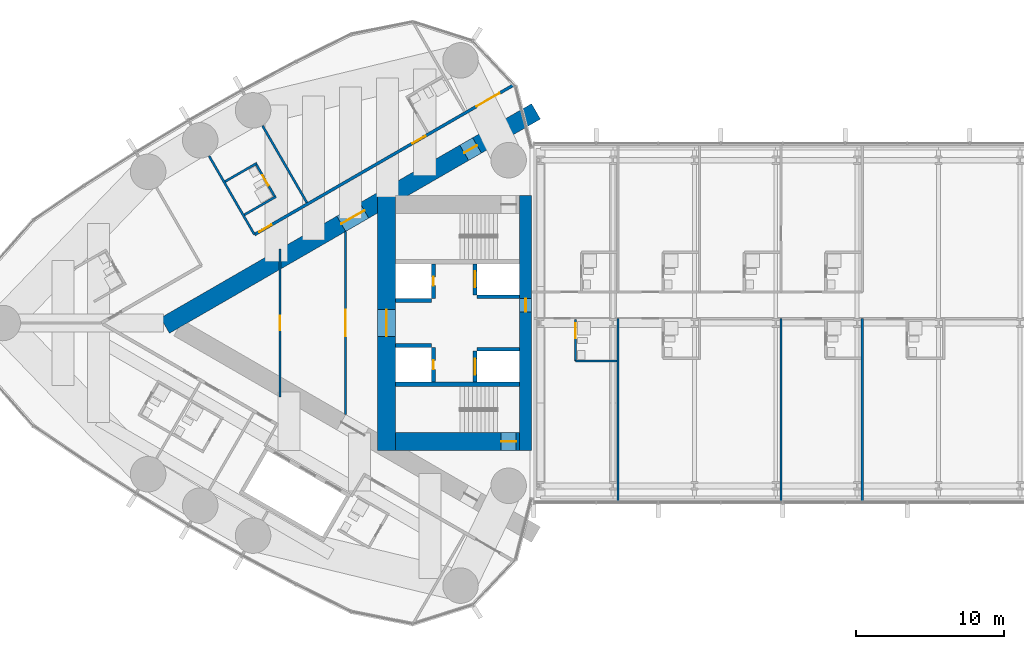
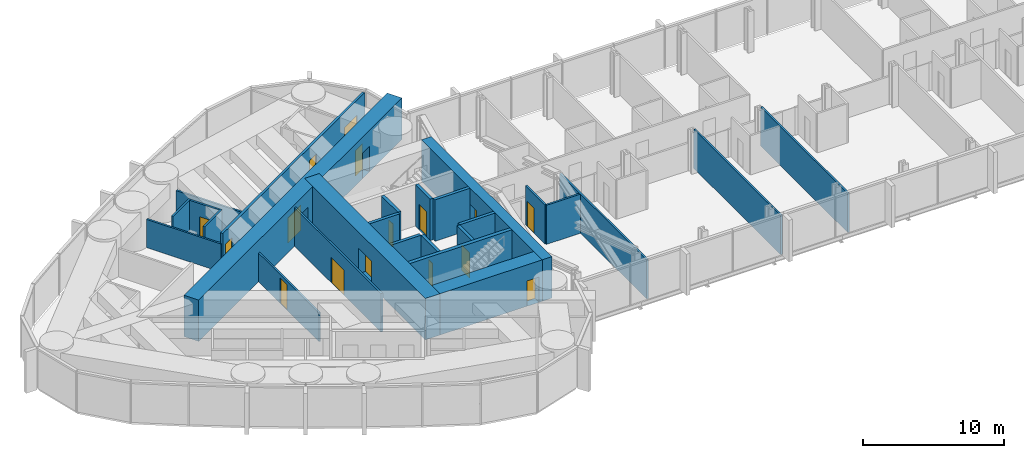
# One storey, part 15 of 22: 26 walls, 16 doors, 16 openings.
"""IFC4 building model written with IfcOpenShell, lengths in metres."""

from ifc_helpers import new_model, si_unit, direction, frame, frame_2d, origin, place, context, subcontext, project, spatial, rectangle, extrude, material, layer, layer_set, type_object, element, fill, save


model = new_model("IFC4")

# Units and contexts
model_context = context("Model", 3, precision=1e-05, world=origin(), true_north=direction((0.0, 1.0)))
body_context = subcontext(model_context, "Body", "Model", "MODEL_VIEW")
ifc_project = project(units=[si_unit("LENGTHUNIT", "METRE"), si_unit("AREAUNIT", "SQUARE_METRE"), si_unit("VOLUMEUNIT", "CUBIC_METRE"), si_unit("PLANEANGLEUNIT", "RADIAN"), si_unit("MASSUNIT", "GRAM", prefix="KILO")], contexts=[model_context])

# Site, building, storey
site_placement = place(None, origin())
site = spatial("IfcSite", under=ifc_project, at=site_placement, CompositionType="ELEMENT")
building_placement = place(site_placement, origin())
building = spatial("IfcBuilding", under=site, at=building_placement, Name="Lancet Gate Hotel", CompositionType="ELEMENT")
storey_placement = place(building_placement, frame((0.0, 0.0, 226.10009765625)))
storey = spatial("IfcBuildingStorey", under=building, at=storey_placement, Name="L60", CompositionType="ELEMENT", Elevation=226.10009765625)

# Wall
ifc_material_1 = material(Name="Moisture resistant board partition")
ifc_layer_1 = layer(ifc_material_1, 0.14990234375)
ifc_layer_set_1 = layer_set([ifc_layer_1], Name="Bathroom wall 150")
wall_type_1 = type_object("IfcWallType", Name="Bathroom wall 150", PredefinedType="PARTITIONING", material=ifc_layer_set_1)
wall_1_placement = place(storey_placement, frame((-46.065185546875, 10.798095703125, 0.0), z_axis=(0.0, 0.0, 1.0), x_axis=(-0.866031185235, -0.4999899861, 0.0)))
element("IfcWall", 1, at=wall_1_placement, inside=storey, type_object=wall_type_1, Name="T1 bathroom wall 150 L60", PredefinedType="PARTITIONING", context=body_context, shape_type="SweptSolid", body=[
    extrude(rectangle(XDim=2.47509765625, YDim=0.14990234375, at=frame_2d((1.237548828125, 0.0))), origin(), (0.0, 0.0, 1.0), 3.349853515625),
])

# Wall, opening, door
wall_2_placement = place(storey_placement, frame((-44.830322265625, 8.509033203125, 0.0), z_axis=(0.0, 0.0, 1.0), x_axis=(-0.499936506574, 0.866062058628, 0.0)))
wall_2 = element("IfcWall", 2, at=wall_2_placement, inside=storey, type_object=wall_type_1, Name="T1 bathroom wall 150 L60", PredefinedType="PARTITIONING", context=body_context, shape_type="SweptSolid", body=[
    extrude(rectangle(XDim=2.599853515625, YDim=0.14990234375, at=frame_2d((1.2998046875, 0.0))), origin(), (0.0, 0.0, 1.0), 3.349853515625),
])
opening_1_placement = place(wall_2_placement, frame((0.89990234375, 0.0, 0.0)))
opening_1 = element("IfcOpeningElement", 3, at=opening_1_placement, cuts=wall_2, Name="Opening 6003-B", PredefinedType="OPENING", context=body_context, shape_type="SweptSolid", body=[
    extrude(rectangle(XDim=0.800048828125, YDim=2.199951171875, at=frame_2d((0.39990234375, 1.10009765625))), frame((0.0, 0.0849609375, 0.0), z_axis=(0.0, -1.0, 0.0), x_axis=(1.0, 0.0, 0.0)), (0.0, 0.0, 1.0), 0.169921875),
])
ifc_material_2 = material(Name="Timber door set", Category="wood")
door_type_1 = type_object("IfcDoorType", Name="Bathroom door 800", OperationType="SINGLE_SWING_RIGHT", PredefinedType="DOOR", material=ifc_material_2)
door_1_placement = place(opening_1_placement, origin())
door_1 = element("IfcDoor", 4, at=door_1_placement, inside=storey, type_object=door_type_1, Name="6003-B", OperationType="SINGLE_SWING_RIGHT", OverallHeight=2.199951171875, OverallWidth=0.800048828125, PredefinedType="DOOR", context=body_context, shape_type="SweptSolid", body=[
    extrude(rectangle(XDim=0.800048828125, YDim=2.199951171875, at=frame_2d((0.39990234375, 1.10009765625))), frame((0.0, 0.02490234375, 0.0), z_axis=(0.0, -1.0, 0.0), x_axis=(1.0, 0.0, 0.0)), (0.0, 0.0, 1.0), 0.050048828125),
])
fill(opening_1, door_1)

# Walls
wall_3_placement = place(storey_placement, frame((-44.765380859375, 8.54638671875, 0.0), z_axis=(0.0, 0.0, 1.0), x_axis=(-0.86604923931, -0.499958713387, 0.0)))
element("IfcWall", 5, at=wall_3_placement, inside=storey, type_object=wall_type_1, Name="T1 bathroom wall 150 L60", PredefinedType="PARTITIONING", context=body_context, shape_type="SweptSolid", body=[
    extrude(rectangle(XDim=2.474853515625, YDim=0.14990234375, at=frame_2d((1.2373046875, 0.0))), origin(), (0.0, 0.0, 1.0), 3.349853515625),
])
wall_4_placement = place(storey_placement, frame((-24.52490234375, -2.574951171875, 0.0), z_axis=(0.0, 0.0, 1.0), x_axis=(1.0, 0.0, 0.0)))
element("IfcWall", 6, at=wall_4_placement, inside=storey, type_object=wall_type_1, Name="Bridge block bathroom wall 150 L60", PredefinedType="PARTITIONING", context=body_context, shape_type="SweptSolid", body=[
    extrude(rectangle(XDim=2.7998046875, YDim=0.14990234375, at=frame_2d((1.39990234375, 0.0))), origin(), (0.0, 0.0, 1.0), 3.39990234375),
])

# Wall, opening, door
wall_5_placement = place(storey_placement, frame((-24.52490234375, -2.574951171875, 0.0), z_axis=(0.0, 0.0, 1.0), x_axis=(0.0, 1.0, 0.0)))
wall_5 = element("IfcWall", 7, at=wall_5_placement, inside=storey, type_object=wall_type_1, Name="Bridge block bathroom wall 150 L60", PredefinedType="PARTITIONING", context=body_context, shape_type="SweptSolid", body=[
    extrude(rectangle(XDim=2.800048828125, YDim=0.14990234375, at=frame_2d((1.39990234375, 0.0))), origin(), (0.0, 0.0, 1.0), 3.39990234375),
])
opening_2_placement = place(wall_5_placement, frame((1.550048828125, 0.0, 0.0)))
opening_2 = element("IfcOpeningElement", 8, at=opening_2_placement, cuts=wall_5, Name="Opening B6001-B", PredefinedType="OPENING", context=body_context, shape_type="SweptSolid", body=[
    extrude(rectangle(XDim=1.0, YDim=2.199951171875, at=frame_2d((0.5, 1.10009765625))), frame((0.0, 0.0849609375, 0.0), z_axis=(0.0, -1.0, 0.0), x_axis=(1.0, 0.0, 0.0)), (0.0, 0.0, 1.0), 0.169921875),
])
ifc_material_3 = material(Name="Timber door set", Category="wood")
door_type_2 = type_object("IfcDoorType", Name="Accessible en-suite door 1000", OperationType="SINGLE_SWING_RIGHT", PredefinedType="DOOR", material=ifc_material_3)
door_2_placement = place(opening_2_placement, origin())
door_2 = element("IfcDoor", 9, at=door_2_placement, inside=storey, type_object=door_type_2, Name="B6001-B", OperationType="SINGLE_SWING_RIGHT", OverallHeight=2.199951171875, OverallWidth=1.0, PredefinedType="DOOR", context=body_context, shape_type="SweptSolid", body=[
    extrude(rectangle(XDim=1.0, YDim=2.199951171875, at=frame_2d((0.5, 1.10009765625))), frame((0.0, 0.02490234375, 0.0), z_axis=(0.0, -1.0, 0.0), x_axis=(1.0, 0.0, 0.0)), (0.0, 0.0, 1.0), 0.050048828125),
])
fill(opening_2, door_2)

# Wall, openings, doors
ifc_material_4 = material(Name="Concrete C70/85", Category="concrete")
ifc_layer_2 = layer(ifc_material_4, 1.199951171875)
ifc_layer_set_2 = layer_set([ifc_layer_2], Name="Buttress wall 1200")
wall_type_2 = type_object("IfcWallType", Name="Buttress wall 1200", PredefinedType="SHEAR", material=ifc_layer_set_2)
wall_6_placement = place(storey_placement, frame((-27.199951171875, 14.300048828125, 0.0), z_axis=(0.0, 0.0, 1.0), x_axis=(-0.866026593062, -0.499997940104, 0.0)))
wall_6 = element("IfcWall", 10, at=wall_6_placement, inside=storey, type_object=wall_type_2, Name="T1 buttress wall S L60", PredefinedType="SHEAR", context=body_context, shape_type="SweptSolid", body=[
    extrude(rectangle(XDim=28.9462890625, YDim=1.199951171875, at=frame_2d((14.47314453125, 0.0))), origin(), (0.0, 0.0, 1.0), 3.599853515625),
])
opening_3_placement = place(wall_6_placement, frame((4.60009765625, 0.0, 0.0)))
opening_3 = element("IfcOpeningElement", 11, at=opening_3_placement, cuts=wall_6, Name="Opening T1-L60-LS", PredefinedType="OPENING", context=body_context, shape_type="SweptSolid", body=[
    extrude(rectangle(XDim=1.0, YDim=2.199951171875, at=frame_2d((0.5, 1.10009765625))), frame((0.0, 0.60986328125, 0.0), z_axis=(0.0, -1.0, 0.0), x_axis=(1.0, 0.0, 0.0)), (0.0, 0.0, 1.0), 1.219970703125),
])
opening_4_placement = place(wall_6_placement, frame((13.39453125, 0.0, 0.0)))
opening_4 = element("IfcOpeningElement", 12, at=opening_4_placement, cuts=wall_6, Name="Opening T1-L60-LHS", PredefinedType="OPENING", context=body_context, shape_type="SweptSolid", body=[
    extrude(rectangle(XDim=1.800048828125, YDim=2.199951171875, at=frame_2d((0.89990234375, 1.10009765625))), frame((0.0, 0.60986328125, 0.0), z_axis=(0.0, -1.0, 0.0), x_axis=(1.0, 0.0, 0.0)), (0.0, 0.0, 1.0), 1.219970703125),
])
ifc_material_5 = material(Name="Timber door set", Category="wood")
door_type_3 = type_object("IfcDoorType", Name="Lobby double door 1800", OperationType="DOUBLE_DOOR_SINGLE_SWING", PredefinedType="DOOR", material=ifc_material_5)
door_3_placement = place(opening_4_placement, origin())
door_3 = element("IfcDoor", 13, at=door_3_placement, inside=storey, type_object=door_type_3, Name="T1-L60-LHS", OperationType="DOUBLE_DOOR_SINGLE_SWING", OverallHeight=2.199951171875, OverallWidth=1.800048828125, PredefinedType="DOOR", context=body_context, shape_type="SweptSolid", body=[
    extrude(rectangle(XDim=1.800048828125, YDim=2.199951171875, at=frame_2d((0.89990234375, 1.10009765625))), frame((0.0, 0.02490234375, 0.0), z_axis=(0.0, -1.0, 0.0), x_axis=(1.0, 0.0, 0.0)), (0.0, 0.0, 1.0), 0.050048828125),
])
fill(opening_4, door_3)
ifc_material_6 = material(Name="Timber door set", Category="wood")
door_type_4 = type_object("IfcDoorType", Name="Stair lobby door 1000", OperationType="SINGLE_SWING_LEFT", PredefinedType="DOOR", material=ifc_material_6)
door_4_placement = place(opening_3_placement, origin())
door_4 = element("IfcDoor", 14, at=door_4_placement, inside=storey, type_object=door_type_4, Name="T1-L60-LS", OperationType="SINGLE_SWING_LEFT", OverallHeight=2.199951171875, OverallWidth=1.0, PredefinedType="DOOR", context=body_context, shape_type="SweptSolid", body=[
    extrude(rectangle(XDim=1.0, YDim=2.199951171875, at=frame_2d((0.5, 1.10009765625))), frame((0.0, 0.02490234375, 0.0), z_axis=(0.0, -1.0, 0.0), x_axis=(1.0, 0.0, 0.0)), (0.0, 0.0, 1.0), 0.050048828125),
])
fill(opening_3, door_4)

# Wall, opening, door
ifc_material_7 = material(Name="Concrete C70/85", Category="concrete")
ifc_layer_3 = layer(ifc_material_7, 1.199951171875)
ifc_layer_set_3 = layer_set([ifc_layer_3], Name="Core wall 1200")
wall_type_3 = type_object("IfcWallType", Name="Core wall 1200", PredefinedType="SHEAR", material=ifc_layer_set_3)
wall_7_placement = place(storey_placement, frame((-37.300048828125, 8.60009765625, 0.0), z_axis=(0.0, 0.0, 1.0), x_axis=(0.0, -1.0, 0.0)))
wall_7 = element("IfcWall", 15, at=wall_7_placement, inside=storey, type_object=wall_type_3, Name="T1 core wall back L60", PredefinedType="SHEAR", context=body_context, shape_type="SweptSolid", body=[
    extrude(rectangle(XDim=17.2001953125, YDim=1.199951171875, at=frame_2d((8.60009765625, 0.0))), origin(), (0.0, 0.0, 1.0), 3.599853515625),
])
opening_5_placement = place(wall_7_placement, frame((7.699951171875, 0.0, 0.0)))
opening_5 = element("IfcOpeningElement", 16, at=opening_5_placement, cuts=wall_7, Name="Opening T1-L60-LL", PredefinedType="OPENING", context=body_context, shape_type="SweptSolid", body=[
    extrude(rectangle(XDim=1.800048828125, YDim=2.199951171875, at=frame_2d((0.89990234375, 1.10009765625))), frame((0.0, 0.60986328125, 0.0), z_axis=(0.0, -1.0, 0.0), x_axis=(1.0, 0.0, 0.0)), (0.0, 0.0, 1.0), 1.219970703125),
])
door_5_placement = place(opening_5_placement, origin())
door_5 = element("IfcDoor", 17, at=door_5_placement, inside=storey, type_object=door_type_3, Name="T1-L60-LL", OperationType="DOUBLE_DOOR_SINGLE_SWING", OverallHeight=2.199951171875, OverallWidth=1.800048828125, PredefinedType="DOOR", context=body_context, shape_type="SweptSolid", body=[
    extrude(rectangle(XDim=1.800048828125, YDim=2.199951171875, at=frame_2d((0.89990234375, 1.10009765625))), frame((0.0, 0.02490234375, 0.0), z_axis=(0.0, -1.0, 0.0), x_axis=(1.0, 0.0, 0.0)), (0.0, 0.0, 1.0), 0.050048828125),
])
fill(opening_5, door_5)

wall_8_placement = place(storey_placement, frame((-28.300048828125, -8.0, 0.0), z_axis=(0.0, 0.0, 1.0), x_axis=(-1.0, 0.0, 0.0)))
wall_8 = element("IfcWall", 18, at=wall_8_placement, inside=storey, type_object=wall_type_3, Name="T1 core wall side-N L60", PredefinedType="SHEAR", context=body_context, shape_type="SweptSolid", body=[
    extrude(rectangle(XDim=8.39990234375, YDim=1.199951171875, at=frame_2d((4.199951171875, 0.0))), origin(), (0.0, 0.0, 1.0), 3.599853515625),
])
opening_6_placement = place(wall_8_placement, frame((0.25, 0.0, 0.0)))
opening_6 = element("IfcOpeningElement", 19, at=opening_6_placement, cuts=wall_8, Name="Opening T1-L60-ST2", PredefinedType="OPENING", context=body_context, shape_type="SweptSolid", body=[
    extrude(rectangle(XDim=1.0, YDim=2.199951171875, at=frame_2d((0.5, 1.10009765625))), frame((0.0, 0.60986328125, 0.0), z_axis=(0.0, -1.0, 0.0), x_axis=(1.0, 0.0, 0.0)), (0.0, 0.0, 1.0), 1.219970703125),
])
ifc_material_8 = material(Name="Timber door set", Category="wood")
door_type_5 = type_object("IfcDoorType", Name="Stair door 1000", OperationType="SINGLE_SWING_RIGHT", PredefinedType="DOOR", material=ifc_material_8)
door_6_placement = place(opening_6_placement, origin())
door_6 = element("IfcDoor", 20, at=door_6_placement, inside=storey, type_object=door_type_5, Name="T1-L60-ST2", OperationType="SINGLE_SWING_RIGHT", OverallHeight=2.199951171875, OverallWidth=1.0, PredefinedType="DOOR", context=body_context, shape_type="SweptSolid", body=[
    extrude(rectangle(XDim=1.0, YDim=2.199951171875, at=frame_2d((0.5, 1.10009765625))), frame((0.0, 0.02490234375, 0.0), z_axis=(0.0, -1.0, 0.0), x_axis=(1.0, 0.0, 0.0)), (0.0, 0.0, 1.0), 0.050048828125),
])
fill(opening_6, door_6)

ifc_material_9 = material(Name="Concrete C70/85", Category="concrete")
ifc_layer_4 = layer(ifc_material_9, 0.800048828125)
ifc_layer_set_4 = layer_set([ifc_layer_4], Name="Core wall 800")
wall_type_4 = type_object("IfcWallType", Name="Core wall 800", PredefinedType="SHEAR", material=ifc_layer_set_4)
wall_9_placement = place(storey_placement, frame((-27.89990234375, 8.60009765625, 0.0), z_axis=(0.0, 0.0, 1.0), x_axis=(0.0, -1.0, 0.0)))
wall_9 = element("IfcWall", 21, at=wall_9_placement, inside=storey, type_object=wall_type_4, Name="T1 core wall front L60", PredefinedType="SHEAR", context=body_context, shape_type="SweptSolid", body=[
    extrude(rectangle(XDim=17.2001953125, YDim=0.800048828125, at=frame_2d((8.60009765625, 0.0))), origin(), (0.0, 0.0, 1.0), 3.599853515625),
])
opening_7_placement = place(wall_9_placement, frame((6.949951171875, 0.0, 0.0)))
opening_7 = element("IfcOpeningElement", 22, at=opening_7_placement, cuts=wall_9, Name="Opening T1-L60-BR", PredefinedType="OPENING", context=body_context, shape_type="SweptSolid", body=[
    extrude(rectangle(XDim=0.89990234375, YDim=2.199951171875, at=frame_2d((0.449951171875, 1.10009765625))), frame((0.0, 0.409912109375, 0.0), z_axis=(0.0, -1.0, 0.0), x_axis=(1.0, 0.0, 0.0)), (0.0, 0.0, 1.0), 0.820068359375),
])
ifc_material_10 = material(Name="Steel door set", Category="steel")
door_type_6 = type_object("IfcDoorType", Name="Bridge fire door 900", OperationType="SINGLE_SWING_LEFT", PredefinedType="DOOR", material=ifc_material_10)
door_7_placement = place(opening_7_placement, origin())
door_7 = element("IfcDoor", 23, at=door_7_placement, inside=storey, type_object=door_type_6, Name="T1-L60-BR", OperationType="SINGLE_SWING_LEFT", OverallHeight=2.199951171875, OverallWidth=0.89990234375, PredefinedType="DOOR", context=body_context, shape_type="SweptSolid", body=[
    extrude(rectangle(XDim=0.89990234375, YDim=2.199951171875, at=frame_2d((0.449951171875, 1.10009765625))), frame((0.0, 0.02490234375, 0.0), z_axis=(0.0, -1.0, 0.0), x_axis=(1.0, 0.0, 0.0)), (0.0, 0.0, 1.0), 0.050048828125),
])
fill(opening_7, door_7)

# Wall, openings, doors
ifc_material_11 = material(Name="Gypsum board partition")
ifc_layer_5 = layer(ifc_material_11, 0.199951171875)
ifc_layer_set_5 = layer_set([ifc_layer_5], Name="Corridor wall 200")
wall_type_5 = type_object("IfcWallType", Name="Corridor wall 200", PredefinedType="PARTITIONING", material=ifc_layer_set_5)
wall_10_placement = place(storey_placement, frame((-28.737060546875, 16.068359375, 0.0), z_axis=(0.0, 0.0, 1.0), x_axis=(-0.866023901326, -0.500002602325, 0.0)))
wall_10 = element("IfcWall", 24, at=wall_10_placement, inside=storey, type_object=wall_type_5, Name="T1 corridor wall 200 L60", PredefinedType="PARTITIONING", context=body_context, shape_type="SweptSolid", body=[
    extrude(rectangle(XDim=20.19189453125, YDim=0.199951171875, at=frame_2d((10.095947265625, 0.0))), origin(), (0.0, 0.0, 1.0), 3.349853515625),
])
opening_8_placement = place(wall_10_placement, frame((1.080078125, 0.0, 0.0)))
opening_8 = element("IfcOpeningElement", 25, at=opening_8_placement, cuts=wall_10, Name="Opening 6001-E", PredefinedType="OPENING", context=body_context, shape_type="SweptSolid", body=[
    extrude(rectangle(XDim=1.800048828125, YDim=2.0400390625, at=frame_2d((0.89990234375, 1.02001953125))), frame((0.0, 0.10986328125, 0.0), z_axis=(0.0, -1.0, 0.0), x_axis=(1.0, 0.0, 0.0)), (0.0, 0.0, 1.0), 0.219970703125),
])
opening_9_placement = place(wall_10_placement, frame((6.860107421875, 0.0, 0.0)))
opening_9 = element("IfcOpeningElement", 26, at=opening_9_placement, cuts=wall_10, Name="Opening 6002-E", PredefinedType="OPENING", context=body_context, shape_type="SweptSolid", body=[
    extrude(rectangle(XDim=1.0, YDim=2.199951171875, at=frame_2d((0.5, 1.10009765625))), frame((0.0, 0.10986328125, 0.0), z_axis=(0.0, -1.0, 0.0), x_axis=(1.0, 0.0, 0.0)), (0.0, 0.0, 1.0), 0.219970703125),
])
opening_10_placement = place(wall_10_placement, frame((18.866943359375, 0.0, 0.0)))
opening_10 = element("IfcOpeningElement", 27, at=opening_10_placement, cuts=wall_10, Name="Opening 6003-E", PredefinedType="OPENING", context=body_context, shape_type="SweptSolid", body=[
    extrude(rectangle(XDim=0.949951171875, YDim=2.199951171875, at=frame_2d((0.47509765625, 1.10009765625))), frame((0.0, 0.10986328125, 0.0), z_axis=(0.0, -1.0, 0.0), x_axis=(1.0, 0.0, 0.0)), (0.0, 0.0, 1.0), 0.219970703125),
])
ifc_material_12 = material(Name="Timber door set", Category="wood")
door_type_7 = type_object("IfcDoorType", Name="Accessible guest room door 1000", OperationType="SINGLE_SWING_LEFT", PredefinedType="DOOR", material=ifc_material_12)
door_8_placement = place(opening_9_placement, origin())
door_8 = element("IfcDoor", 28, at=door_8_placement, inside=storey, type_object=door_type_7, Name="6002-E", OperationType="SINGLE_SWING_LEFT", OverallHeight=2.199951171875, OverallWidth=1.0, PredefinedType="DOOR", context=body_context, shape_type="SweptSolid", body=[
    extrude(rectangle(XDim=1.0, YDim=2.199951171875, at=frame_2d((0.5, 1.10009765625))), frame((0.0, 0.02490234375, 0.0), z_axis=(0.0, -1.0, 0.0), x_axis=(1.0, 0.0, 0.0)), (0.0, 0.0, 1.0), 0.050048828125),
])
fill(opening_9, door_8)
ifc_material_13 = material(Name="Timber door set", Category="wood")
door_type_8 = type_object("IfcDoorType", Name="Double door 1800, 2040 high", OperationType="DOUBLE_DOOR_SINGLE_SWING", PredefinedType="DOOR", material=ifc_material_13)
door_9_placement = place(opening_8_placement, origin())
door_9 = element("IfcDoor", 29, at=door_9_placement, inside=storey, type_object=door_type_8, Name="6001-E", OperationType="DOUBLE_DOOR_SINGLE_SWING", OverallHeight=2.0400390625, OverallWidth=1.800048828125, PredefinedType="DOOR", context=body_context, shape_type="SweptSolid", body=[
    extrude(rectangle(XDim=1.800048828125, YDim=2.0400390625, at=frame_2d((0.89990234375, 1.02001953125))), frame((0.0, 0.02490234375, 0.0), z_axis=(0.0, -1.0, 0.0), x_axis=(1.0, 0.0, 0.0)), (0.0, 0.0, 1.0), 0.050048828125),
])
fill(opening_8, door_9)
ifc_material_14 = material(Name="Timber door set", Category="wood")
door_type_9 = type_object("IfcDoorType", Name="Guest room entry door 950", OperationType="SINGLE_SWING_LEFT", PredefinedType="DOOR", material=ifc_material_14)
door_10_placement = place(opening_10_placement, origin())
door_10 = element("IfcDoor", 30, at=door_10_placement, inside=storey, type_object=door_type_9, Name="6003-E", OperationType="SINGLE_SWING_LEFT", OverallHeight=2.199951171875, OverallWidth=0.949951171875, PredefinedType="DOOR", context=body_context, shape_type="SweptSolid", body=[
    extrude(rectangle(XDim=0.949951171875, YDim=2.199951171875, at=frame_2d((0.47509765625, 1.10009765625))), frame((0.0, 0.02490234375, 0.0), z_axis=(0.0, -1.0, 0.0), x_axis=(1.0, 0.0, 0.0)), (0.0, 0.0, 1.0), 0.050048828125),
])
fill(opening_10, door_10)

# Wall, opening, door
ifc_material_15 = material(Name="Concrete C50/60", Category="concrete")
ifc_layer_6 = layer(ifc_material_15, 0.25)
ifc_layer_set_6 = layer_set([ifc_layer_6], Name="Lift shaft wall 250")
wall_type_6 = type_object("IfcWallType", Name="Lift shaft wall 250", PredefinedType="SHEAR", material=ifc_layer_set_6)
wall_11_placement = place(storey_placement, frame((-31.324951171875, 4.0, 0.0), z_axis=(0.0, 0.0, 1.0), x_axis=(0.0, -1.0, 0.0)))
wall_11 = element("IfcWall", 31, at=wall_11_placement, inside=storey, type_object=wall_type_6, Name="T1 core wall row1-S L60", PredefinedType="SHEAR", context=body_context, shape_type="SweptSolid", body=[
    extrude(rectangle(XDim=2.10009765625, YDim=0.25, at=frame_2d((1.050048828125, 0.0))), origin(), (0.0, 0.0, 1.0), 3.599853515625),
])
opening_11_placement = place(wall_11_placement, frame((0.5, 0.0, 0.0)))
opening_11 = element("IfcOpeningElement", 32, at=opening_11_placement, cuts=wall_11, Name="Opening T1-SL1-L60", PredefinedType="OPENING", context=body_context, shape_type="SweptSolid", body=[
    extrude(rectangle(XDim=1.10009765625, YDim=2.199951171875, at=frame_2d((0.550048828125, 1.10009765625))), frame((0.0, 0.135009765625, 0.0), z_axis=(0.0, -1.0, 0.0), x_axis=(1.0, 0.0, 0.0)), (0.0, 0.0, 1.0), 0.27001953125),
])
ifc_material_16 = material(Name="Timber door set", Category="wood")
door_type_10 = type_object("IfcDoorType", Name="Service lift landing door 1100", OperationType="SLIDING_TO_LEFT", PredefinedType="USERDEFINED", material=ifc_material_16)
door_11_placement = place(opening_11_placement, origin())
door_11 = element("IfcDoor", 33, at=door_11_placement, inside=storey, type_object=door_type_10, Name="T1-SL1-L60", ObjectType="LIFT LANDING DOOR", OperationType="SLIDING_TO_LEFT", OverallHeight=2.199951171875, OverallWidth=1.10009765625, PredefinedType="USERDEFINED", context=body_context, shape_type="SweptSolid", body=[
    extrude(rectangle(XDim=1.10009765625, YDim=2.199951171875, at=frame_2d((0.550048828125, 1.10009765625))), frame((0.0, 0.02490234375, 0.0), z_axis=(0.0, -1.0, 0.0), x_axis=(1.0, 0.0, 0.0)), (0.0, 0.0, 1.0), 0.050048828125),
])
fill(opening_11, door_11)

wall_12_placement = place(storey_placement, frame((-34.125, 4.0, 0.0), z_axis=(0.0, 0.0, 1.0), x_axis=(0.0, -1.0, 0.0)))
wall_12 = element("IfcWall", 34, at=wall_12_placement, inside=storey, type_object=wall_type_6, Name="T1 core wall row2-S L60", PredefinedType="SHEAR", context=body_context, shape_type="SweptSolid", body=[
    extrude(rectangle(XDim=2.35009765625, YDim=0.25, at=frame_2d((1.175048828125, 0.0))), origin(), (0.0, 0.0, 1.0), 3.599853515625),
])
opening_12_placement = place(wall_12_placement, frame((0.875, 0.0, 0.0)))
opening_12 = element("IfcOpeningElement", 35, at=opening_12_placement, cuts=wall_12, Name="Opening T1-OL3-L60-E", PredefinedType="OPENING", context=body_context, shape_type="SweptSolid", body=[
    extrude(rectangle(XDim=0.60009765625, YDim=2.0, at=frame_2d((0.300048828125, 1.0))), frame((0.0, 0.135009765625, 0.0), z_axis=(0.0, -1.0, 0.0), x_axis=(1.0, 0.0, 0.0)), (0.0, 0.0, 1.0), 0.27001953125),
])
ifc_material_17 = material(Name="Steel door set", Category="steel")
door_type_11 = type_object("IfcDoorType", Name="Lift shaft emergency door 600x2000", OperationType="SLIDING_TO_LEFT", PredefinedType="DOOR", material=ifc_material_17)
door_12_placement = place(opening_12_placement, origin())
door_12 = element("IfcDoor", 36, at=door_12_placement, inside=storey, type_object=door_type_11, Name="T1-OL3-L60-E", OperationType="SLIDING_TO_LEFT", OverallHeight=2.0, OverallWidth=0.60009765625, PredefinedType="DOOR", context=body_context, shape_type="SweptSolid", body=[
    extrude(rectangle(XDim=0.60009765625, YDim=2.0, at=frame_2d((0.300048828125, 1.0))), frame((0.0, 0.02490234375, 0.0), z_axis=(0.0, -1.0, 0.0), x_axis=(1.0, 0.0, 0.0)), (0.0, 0.0, 1.0), 0.050048828125),
])
fill(opening_12, door_12)

# Walls
wall_13_placement = place(storey_placement, frame((-28.300048828125, 1.77490234375, 0.0), z_axis=(0.0, 0.0, 1.0), x_axis=(-1.0, 0.0, 0.0)))
element("IfcWall", 37, at=wall_13_placement, inside=storey, type_object=wall_type_6, Name="T1 core wall pass1-S L60", PredefinedType="SHEAR", context=body_context, shape_type="SweptSolid", body=[
    extrude(rectangle(XDim=2.89990234375, YDim=0.25, at=frame_2d((1.449951171875, 0.0))), origin(), (0.0, 0.0, 1.0), 3.599853515625),
])
wall_14_placement = place(storey_placement, frame((-34.25, 1.52490234375, 0.0), z_axis=(0.0, 0.0, 1.0), x_axis=(-1.0, 0.0, 0.0)))
element("IfcWall", 38, at=wall_14_placement, inside=storey, type_object=wall_type_6, Name="T1 core wall pass2-S L60", PredefinedType="SHEAR", context=body_context, shape_type="SweptSolid", body=[
    extrude(rectangle(XDim=2.449951171875, YDim=0.25, at=frame_2d((1.22509765625, 0.0))), origin(), (0.0, 0.0, 1.0), 3.599853515625),
])

# Wall, opening, door
wall_15_placement = place(storey_placement, frame((-31.324951171875, -1.89990234375, 0.0), z_axis=(0.0, 0.0, 1.0), x_axis=(0.0, -1.0, 0.0)))
wall_15 = element("IfcWall", 39, at=wall_15_placement, inside=storey, type_object=wall_type_6, Name="T1 core wall row1-N L60", PredefinedType="SHEAR", context=body_context, shape_type="SweptSolid", body=[
    extrude(rectangle(XDim=2.10009765625, YDim=0.25, at=frame_2d((1.050048828125, 0.0))), origin(), (0.0, 0.0, 1.0), 3.599853515625),
])
opening_13_placement = place(wall_15_placement, frame((0.5, 0.0, 0.0)))
opening_13 = element("IfcOpeningElement", 40, at=opening_13_placement, cuts=wall_15, Name="Opening T1-FL2-L60", PredefinedType="OPENING", context=body_context, shape_type="SweptSolid", body=[
    extrude(rectangle(XDim=1.10009765625, YDim=2.199951171875, at=frame_2d((0.550048828125, 1.10009765625))), frame((0.0, 0.135009765625, 0.0), z_axis=(0.0, -1.0, 0.0), x_axis=(1.0, 0.0, 0.0)), (0.0, 0.0, 1.0), 0.27001953125),
])
ifc_material_18 = material(Name="Steel door set", Category="steel")
door_type_12 = type_object("IfcDoorType", Name="Firefighting lift landing door 1100", OperationType="SLIDING_TO_LEFT", PredefinedType="USERDEFINED", material=ifc_material_18)
door_13_placement = place(opening_13_placement, origin())
door_13 = element("IfcDoor", 41, at=door_13_placement, inside=storey, type_object=door_type_12, Name="T1-FL2-L60", ObjectType="LIFT LANDING DOOR", OperationType="SLIDING_TO_LEFT", OverallHeight=2.199951171875, OverallWidth=1.10009765625, PredefinedType="USERDEFINED", context=body_context, shape_type="SweptSolid", body=[
    extrude(rectangle(XDim=1.10009765625, YDim=2.199951171875, at=frame_2d((0.550048828125, 1.10009765625))), frame((0.0, 0.02490234375, 0.0), z_axis=(0.0, -1.0, 0.0), x_axis=(1.0, 0.0, 0.0)), (0.0, 0.0, 1.0), 0.050048828125),
])
fill(opening_13, door_13)

wall_16_placement = place(storey_placement, frame((-34.125, -1.64990234375, 0.0), z_axis=(0.0, 0.0, 1.0), x_axis=(0.0, -1.0, 0.0)))
wall_16 = element("IfcWall", 42, at=wall_16_placement, inside=storey, type_object=wall_type_6, Name="T1 core wall row2-N L60", PredefinedType="SHEAR", context=body_context, shape_type="SweptSolid", body=[
    extrude(rectangle(XDim=2.35009765625, YDim=0.25, at=frame_2d((1.175048828125, 0.0))), origin(), (0.0, 0.0, 1.0), 3.599853515625),
])
opening_14_placement = place(wall_16_placement, frame((0.875, 0.0, 0.0)))
opening_14 = element("IfcOpeningElement", 43, at=opening_14_placement, cuts=wall_16, Name="Opening T1-OL4-L60-E", PredefinedType="OPENING", context=body_context, shape_type="SweptSolid", body=[
    extrude(rectangle(XDim=0.60009765625, YDim=2.0, at=frame_2d((0.300048828125, 1.0))), frame((0.0, 0.135009765625, 0.0), z_axis=(0.0, -1.0, 0.0), x_axis=(1.0, 0.0, 0.0)), (0.0, 0.0, 1.0), 0.27001953125),
])
door_14_placement = place(opening_14_placement, origin())
door_14 = element("IfcDoor", 44, at=door_14_placement, inside=storey, type_object=door_type_11, Name="T1-OL4-L60-E", OperationType="SLIDING_TO_LEFT", OverallHeight=2.0, OverallWidth=0.60009765625, PredefinedType="DOOR", context=body_context, shape_type="SweptSolid", body=[
    extrude(rectangle(XDim=0.60009765625, YDim=2.0, at=frame_2d((0.300048828125, 1.0))), frame((0.0, 0.02490234375, 0.0), z_axis=(0.0, -1.0, 0.0), x_axis=(1.0, 0.0, 0.0)), (0.0, 0.0, 1.0), 0.050048828125),
])
fill(opening_14, door_14)

# Walls
wall_17_placement = place(storey_placement, frame((-28.300048828125, -1.77490234375, 0.0), z_axis=(0.0, 0.0, 1.0), x_axis=(-1.0, 0.0, 0.0)))
element("IfcWall", 45, at=wall_17_placement, inside=storey, type_object=wall_type_6, Name="T1 core wall pass1-N L60", PredefinedType="SHEAR", context=body_context, shape_type="SweptSolid", body=[
    extrude(rectangle(XDim=2.89990234375, YDim=0.25, at=frame_2d((1.449951171875, 0.0))), origin(), (0.0, 0.0, 1.0), 3.599853515625),
])
wall_18_placement = place(storey_placement, frame((-34.25, -1.52490234375, 0.0), z_axis=(0.0, 0.0, 1.0), x_axis=(-1.0, 0.0, 0.0)))
element("IfcWall", 46, at=wall_18_placement, inside=storey, type_object=wall_type_6, Name="T1 core wall pass2-N L60", PredefinedType="SHEAR", context=body_context, shape_type="SweptSolid", body=[
    extrude(rectangle(XDim=2.449951171875, YDim=0.25, at=frame_2d((1.22509765625, 0.0))), origin(), (0.0, 0.0, 1.0), 3.599853515625),
])
ifc_material_19 = material(Name="Gypsum board partition")
ifc_layer_7 = layer(ifc_material_19, 0.14990234375)
ifc_layer_set_7 = layer_set([ifc_layer_7], Name="Party wall 150")
wall_type_7 = type_object("IfcWallType", Name="Party wall 150", PredefinedType="PARTITIONING", material=ifc_layer_set_7)
wall_19_placement = place(storey_placement, frame((-42.680419921875, 8.133544921875, 0.0), z_axis=(0.0, 0.0, 1.0), x_axis=(-0.499984479505, 0.866034364361, 0.0)))
element("IfcWall", 47, at=wall_19_placement, inside=storey, type_object=wall_type_7, Name="T1 party wall 150 L60", PredefinedType="PARTITIONING", context=body_context, shape_type="SweptSolid", body=[
    extrude(rectangle(XDim=5.995361328125, YDim=0.14990234375, at=frame_2d((2.99755859375, 0.0))), origin(), (0.0, 0.0, 1.0), 2.449951171875),
])
wall_20_placement = place(storey_placement, frame((-46.2236328125, 5.972412109375, 0.0), z_axis=(0.0, 0.0, 1.0), x_axis=(-0.500021351822, 0.866013075953, 0.0)))
element("IfcWall", 48, at=wall_20_placement, inside=storey, type_object=wall_type_7, Name="T1 party wall 150 L60", PredefinedType="PARTITIONING", context=body_context, shape_type="SweptSolid", body=[
    extrude(rectangle(XDim=6.127685546875, YDim=0.14990234375, at=frame_2d((3.06396484375, 0.0))), origin(), (0.0, 0.0, 1.0), 2.449951171875),
])
for number, where, z_axis, x_axis, name in (
    (49, (-21.64990234375, -12.070068359375, 0.0), (0.0, 0.0, 1.0), (0.0, 1.0, 0.0), "Bridge block party wall 150 L60"),
    (50, (-10.64990234375, -12.070068359375, 0.0), (0.0, 0.0, 1.0), (0.0, 1.0, 0.0), "Bridge block party wall 150 L60"),
    (51, (-5.14990234375, -12.070068359375, 0.0), (0.0, 0.0, 1.0), (0.0, 1.0, 0.0), "Bridge block party wall 150 L60"),
):
    element("IfcWall", number, at=place(storey_placement, frame(where, z_axis=z_axis, x_axis=x_axis)), inside=storey, type_object=wall_type_7, Name=name, PredefinedType="PARTITIONING", context=body_context, shape_type="SweptSolid", body=[
        extrude(rectangle(XDim=12.3701171875, YDim=0.14990234375, at=frame_2d((6.18505859375, 0.0))), origin(), (0.0, 0.0, 1.0), 3.39990234375),
    ])

# Wall, opening, door
ifc_material_20 = material(Name="Gypsum board partition")
ifc_layer_8 = layer(ifc_material_20, 0.14990234375)
ifc_layer_set_8 = layer_set([ifc_layer_8], Name="Service room wall 150")
wall_type_8 = type_object("IfcWallType", Name="Service room wall 150", PredefinedType="PARTITIONING", material=ifc_layer_set_8)
wall_21_placement = place(storey_placement, frame((-40.074951171875, 6.173828125, 0.0), z_axis=(0.0, 0.0, 1.0), x_axis=(0.0, -1.0, 0.0)))
wall_21 = element("IfcWall", 52, at=wall_21_placement, inside=storey, type_object=wall_type_8, Name="T1 service room wall 150 L60", PredefinedType="PARTITIONING", context=body_context, shape_type="SweptSolid", body=[
    extrude(rectangle(XDim=12.34765625, YDim=0.14990234375, at=frame_2d((6.173828125, 0.0))), origin(), (0.0, 0.0, 1.0), 3.349853515625),
])
opening_15_placement = place(wall_21_placement, frame((5.273681640625, 0.0, 0.0)))
opening_15 = element("IfcOpeningElement", 53, at=opening_15_placement, cuts=wall_21, Name="Opening T1-L60-LH", PredefinedType="OPENING", context=body_context, shape_type="SweptSolid", body=[
    extrude(rectangle(XDim=1.800048828125, YDim=2.199951171875, at=frame_2d((0.89990234375, 1.10009765625))), frame((0.0, 0.0849609375, 0.0), z_axis=(0.0, -1.0, 0.0), x_axis=(1.0, 0.0, 0.0)), (0.0, 0.0, 1.0), 0.169921875),
])
door_15_placement = place(opening_15_placement, origin())
door_15 = element("IfcDoor", 54, at=door_15_placement, inside=storey, type_object=door_type_3, Name="T1-L60-LH", OperationType="DOUBLE_DOOR_SINGLE_SWING", OverallHeight=2.199951171875, OverallWidth=1.800048828125, PredefinedType="DOOR", context=body_context, shape_type="SweptSolid", body=[
    extrude(rectangle(XDim=1.800048828125, YDim=2.199951171875, at=frame_2d((0.89990234375, 1.10009765625))), frame((0.0, 0.02490234375, 0.0), z_axis=(0.0, -1.0, 0.0), x_axis=(1.0, 0.0, 0.0)), (0.0, 0.0, 1.0), 0.050048828125),
])
fill(opening_15, door_15)

wall_22_placement = place(storey_placement, frame((-44.5, 5.004638671875, 0.0), z_axis=(0.0, 0.0, 1.0), x_axis=(0.0, -1.0, 0.0)))
wall_22 = element("IfcWall", 55, at=wall_22_placement, inside=storey, type_object=wall_type_8, Name="T1 service room wall 150 L60", PredefinedType="PARTITIONING", context=body_context, shape_type="SweptSolid", body=[
    extrude(rectangle(XDim=10.00927734375, YDim=0.14990234375, at=frame_2d((5.004638671875, 0.0))), origin(), (0.0, 0.0, 1.0), 2.5),
])
opening_16_placement = place(wall_22_placement, frame((4.504638671875, 0.0, 0.0)))
opening_16 = element("IfcOpeningElement", 56, at=opening_16_placement, cuts=wall_22, Name="Opening T1-L60-SV", PredefinedType="OPENING", context=body_context, shape_type="SweptSolid", body=[
    extrude(rectangle(XDim=1.0, YDim=2.199951171875, at=frame_2d((0.5, 1.10009765625))), frame((0.0, 0.0849609375, 0.0), z_axis=(0.0, -1.0, 0.0), x_axis=(1.0, 0.0, 0.0)), (0.0, 0.0, 1.0), 0.169921875),
])
ifc_material_21 = material(Name="Timber door set", Category="wood")
door_type_13 = type_object("IfcDoorType", Name="Service door 1000", OperationType="SINGLE_SWING_LEFT", PredefinedType="DOOR", material=ifc_material_21)
door_16_placement = place(opening_16_placement, origin())
door_16 = element("IfcDoor", 57, at=door_16_placement, inside=storey, type_object=door_type_13, Name="T1-L60-SV", OperationType="SINGLE_SWING_LEFT", OverallHeight=2.199951171875, OverallWidth=1.0, PredefinedType="DOOR", context=body_context, shape_type="SweptSolid", body=[
    extrude(rectangle(XDim=1.0, YDim=2.199951171875, at=frame_2d((0.5, 1.10009765625))), frame((0.0, 0.02490234375, 0.0), z_axis=(0.0, -1.0, 0.0), x_axis=(1.0, 0.0, 0.0)), (0.0, 0.0, 1.0), 0.050048828125),
])
fill(opening_16, door_16)

# Wall
ifc_material_22 = material(Name="Concrete C50/60", Category="concrete")
ifc_layer_9 = layer(ifc_material_22, 0.300048828125)
ifc_layer_set_9 = layer_set([ifc_layer_9], Name="Stair enclosure wall 300")
wall_type_9 = type_object("IfcWallType", Name="Stair enclosure wall 300", PredefinedType="SHEAR", material=ifc_layer_set_9)
wall_23_placement = place(storey_placement, frame((-28.300048828125, -4.14990234375, 0.0), z_axis=(0.0, 0.0, 1.0), x_axis=(-1.0, 0.0, 0.0)))
element("IfcWall", 58, at=wall_23_placement, inside=storey, type_object=wall_type_9, Name="T1 core wall stair-N L60", PredefinedType="SHEAR", context=body_context, shape_type="SweptSolid", body=[
    extrude(rectangle(XDim=8.39990234375, YDim=0.300048828125, at=frame_2d((4.199951171875, 0.0))), origin(), (0.0, 0.0, 1.0), 3.599853515625),
])

save(model, "model.ifc")
